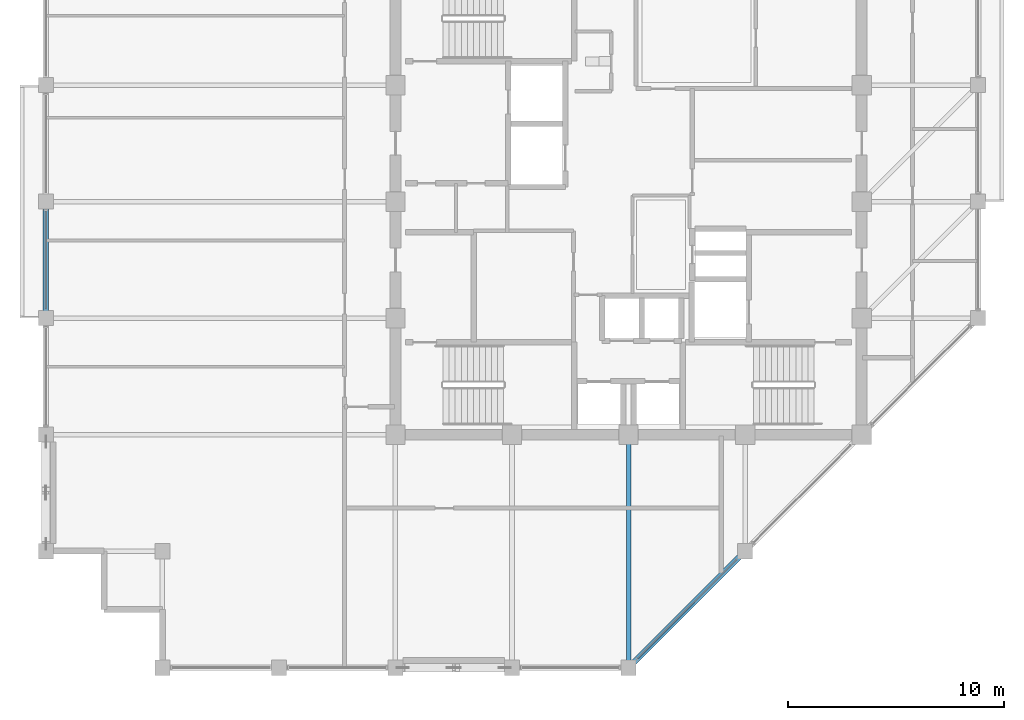
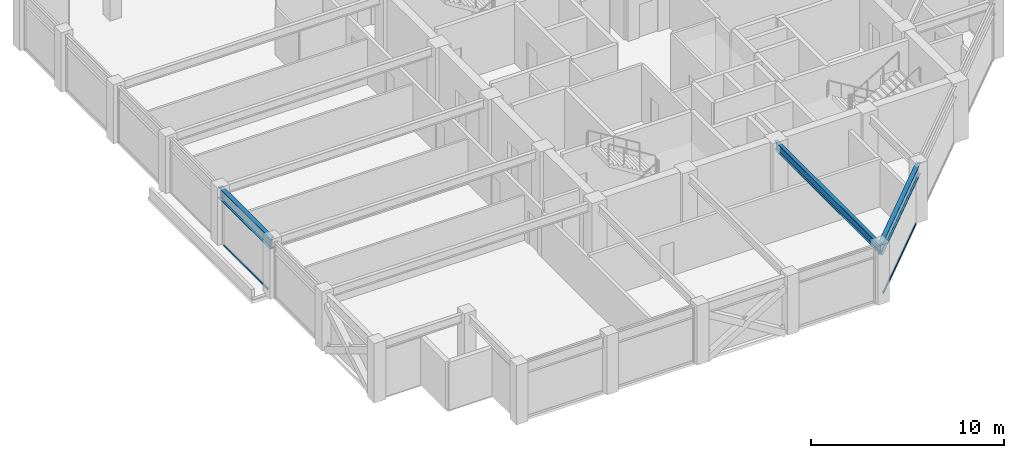
# One storey, part 7 of 30: 3 beams, 2 members, 2 elements without a shape of their own.
"""IFC4 building model written with IfcOpenShell, lengths in metres."""

from ifc_helpers import new_model, si_unit, direction, frame, origin, origin_2d, place, context, subcontext, project, spatial, hollow_rectangle, i_section, extrude, material, layer, layer_set, material_profile, profile_set, type_object, element, aggregate, save


model = new_model("IFC4")

# Units and contexts
model_context = context("Model", 3, precision=1e-05, world=origin(), true_north=direction((0.0, 1.0)))
body_context = subcontext(model_context, "Body", "Model", "MODEL_VIEW")
ifc_project = project(units=[si_unit("LENGTHUNIT", "METRE"), si_unit("AREAUNIT", "SQUARE_METRE"), si_unit("VOLUMEUNIT", "CUBIC_METRE"), si_unit("PLANEANGLEUNIT", "RADIAN"), si_unit("MASSUNIT", "GRAM", prefix="KILO")], contexts=[model_context])

# Site, building, storey
site_placement = place(None, origin())
site = spatial("IfcSite", under=ifc_project, at=site_placement, CompositionType="ELEMENT")
building_placement = place(site_placement, origin())
building = spatial("IfcBuilding", under=site, at=building_placement, Name="Surkhivell Harbour Commons", CompositionType="ELEMENT")
storey_placement = place(building_placement, frame((0.0, 0.0, 281.25)))
storey = spatial("IfcBuildingStorey", under=building, at=storey_placement, Name="L73", CompositionType="ELEMENT", Elevation=281.25)

# Beams
ifc_material_1 = material(Name="Steel S355", Category="steel")
ifc_material_profile_1 = material_profile(ifc_material_1, i_section(OverallWidth=0.2099609375, OverallDepth=0.537109375, WebThickness=0.0107421875, FlangeThickness=0.017333984375, at=origin_2d()), Name="UB533x210x101")
ifc_profile_set_1 = profile_set([ifc_material_profile_1], Name="Steel S355")
beam_type_1 = type_object("IfcBeamType", Name="BM-GRD-533B", PredefinedType="BEAM", material=ifc_profile_set_1)
beam_1_placement = place(storey_placement, frame((0.0, -21.60009765625, 3.301513671875), z_axis=(0.0, 1.0, 0.0), x_axis=(-1.0, 0.0, 0.0)))
element("IfcBeam", 1, at=beam_1_placement, inside=storey, type_object=beam_type_1, Name="L73 Floor Girder (0.0,-21.6)", PredefinedType="BEAM", context=body_context, shape_type="SweptSolid", body=[
    extrude(i_section(OverallWidth=0.2099609375, OverallDepth=0.537109375, WebThickness=0.0107421875, FlangeThickness=0.017333984375, at=origin_2d()), origin(), (0.0, 0.0, 1.0), 10.800048828125),
])
ifc_material_profile_2 = material_profile(ifc_material_1, i_section(OverallWidth=0.256103515625, OverallDepth=0.693115234375, WebThickness=0.014404296875, FlangeThickness=0.023681640625, at=origin_2d()), Name="UB686x254x170")
ifc_profile_set_2 = profile_set([ifc_material_profile_2], Name="Steel S355")
beam_type_2 = type_object("IfcBeamType", Name="BM-SPN-686", PredefinedType="SPANDREL", material=ifc_profile_set_2)
beam_2_placement = place(storey_placement, frame((-27.0, -5.39990234375, 3.223388671875), z_axis=(0.0, 1.0, 0.0), x_axis=(-1.0, 0.0, 0.0)))
element("IfcBeam", 2, at=beam_2_placement, inside=storey, type_object=beam_type_2, Name="L73 Tube Spandrel (-27.0,-5.4)", PredefinedType="SPANDREL", context=body_context, shape_type="SweptSolid", body=[
    extrude(i_section(OverallWidth=0.256103515625, OverallDepth=0.693115234375, WebThickness=0.014404296875, FlangeThickness=0.023681640625, at=origin_2d()), origin(), (0.0, 0.0, 1.0), 5.39990234375),
])
beam_3_placement = place(storey_placement, frame((0.0, -21.60009765625, 3.223388671875), z_axis=(0.707090796496, 0.707122765516, 0.0), x_axis=(-0.707122765516, 0.707090796496, 0.0)))
element("IfcBeam", 3, at=beam_3_placement, inside=storey, type_object=beam_type_2, Name="L73 Tube Spandrel (-0.0,-21.6)", PredefinedType="SPANDREL", context=body_context, shape_type="SweptSolid", body=[
    extrude(i_section(OverallWidth=0.256103515625, OverallDepth=0.693115234375, WebThickness=0.014404296875, FlangeThickness=0.023681640625, at=origin_2d()), origin(), (0.0, 0.0, 1.0), 7.63671875),
])

# Curtain wall, member
ifc_material_2 = material(Name="Anodised pale-metal aluminium and insulated glazing", Category="aluminium")
ifc_layer = layer(ifc_material_2, 0.175048828125)
ifc_layer_set = layer_set([ifc_layer], Name="Anodised pale-metal aluminium and insulated glazing")
curtain_wall_type = type_object("IfcCurtainWallType", Name="CW-SYS-Z4", PredefinedType="NOTDEFINED", material=ifc_layer_set)
curtain_wall_1_placement = place(storey_placement, origin())
curtain_wall_1 = element("IfcCurtainWall", 4, at=curtain_wall_1_placement, inside=storey, type_object=curtain_wall_type, Name="L73 Curtain Wall CW-L73-E01", PredefinedType="NOTDEFINED")
ifc_material_3 = material(Name="Champagne anodised aluminium alloy 6063-T6", Category="aluminium")
ifc_material_profile_3 = material_profile(ifc_material_3, hollow_rectangle(XDim=0.070068359375, YDim=0.1298828125, WallThickness=0.00341796875, at=origin_2d()), Name="ALU-TRAN-70x130")
ifc_profile_set_3 = profile_set([ifc_material_profile_3], Name="Champagne anodised aluminium alloy 6063-T6")
member_type = type_object("IfcMemberType", Name="CWT-130", PredefinedType="USERDEFINED", material=ifc_profile_set_3)
member_1_placement = place(storey_placement, frame((0.404541015625, -21.1953125, 0.06494140625), z_axis=(0.707125583467, 0.707087978406, 0.0), x_axis=(-0.707087978406, 0.707125583467, 0.0)))
member_1 = element("IfcMember", 5, at=member_1_placement, type_object=member_type, Name="CW-Z4 transom 1.1", ObjectType="TRANSOM", PredefinedType="USERDEFINED", context=body_context, shape_type="SweptSolid", body=[
    extrude(hollow_rectangle(XDim=0.070068359375, YDim=0.1298828125, WallThickness=0.00341796875, at=origin_2d()), origin(), (0.0, 0.0, 1.0), 6.4921875),
])
aggregate(curtain_wall_1, [member_1])

curtain_wall_2_placement = place(storey_placement, origin())
curtain_wall_2 = element("IfcCurtainWall", 6, at=curtain_wall_2_placement, inside=storey, type_object=curtain_wall_type, Name="L73 Curtain Wall CW-L73-E12S1", PredefinedType="NOTDEFINED")
member_2_placement = place(storey_placement, frame((-27.0, -0.427001953125, 0.06494140625), z_axis=(0.0, -1.0, 0.0), x_axis=(1.0, 0.0, 0.0)))
member_2 = element("IfcMember", 7, at=member_2_placement, type_object=member_type, Name="CW-Z4 transom 5.1", ObjectType="TRANSOM", PredefinedType="USERDEFINED", context=body_context, shape_type="SweptSolid", body=[
    extrude(hollow_rectangle(XDim=0.070068359375, YDim=0.1298828125, WallThickness=0.00341796875, at=origin_2d()), origin(), (0.0, 0.0, 1.0), 4.5458984375),
])
aggregate(curtain_wall_2, [member_2])

save(model, "model.ifc")
